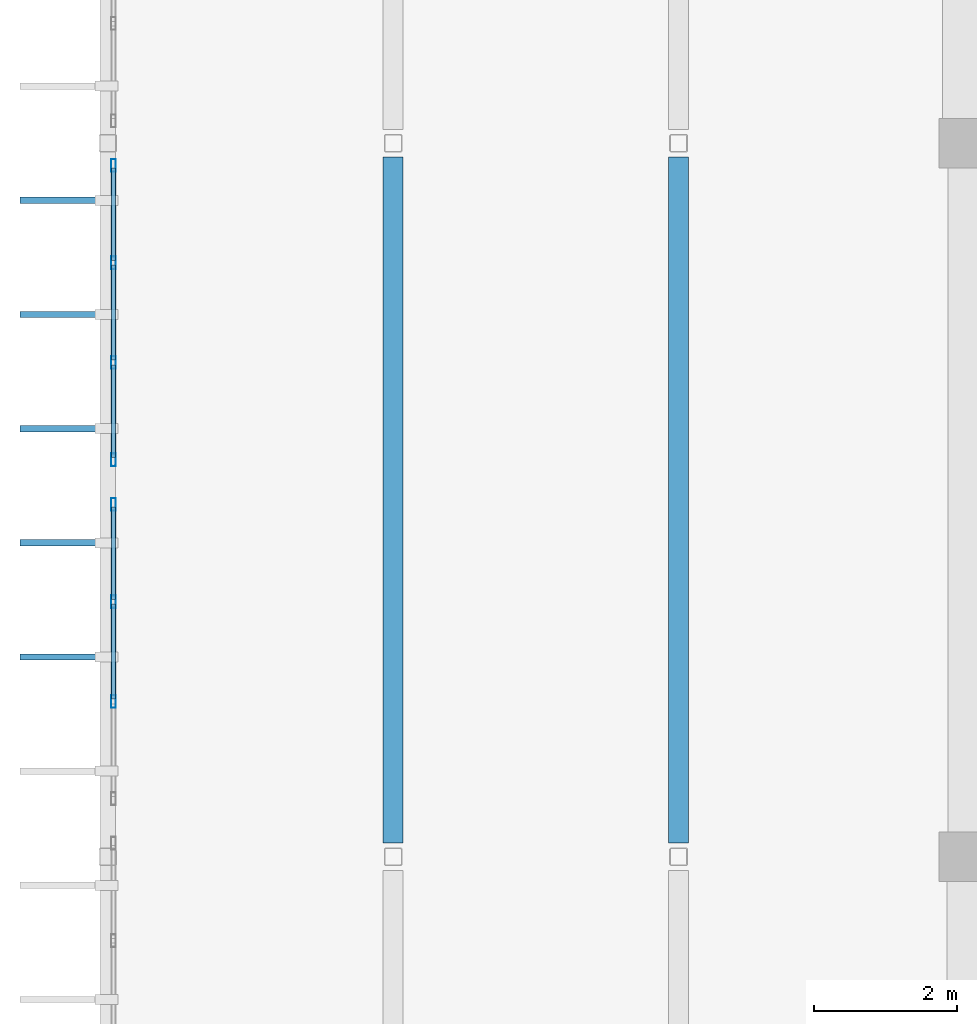
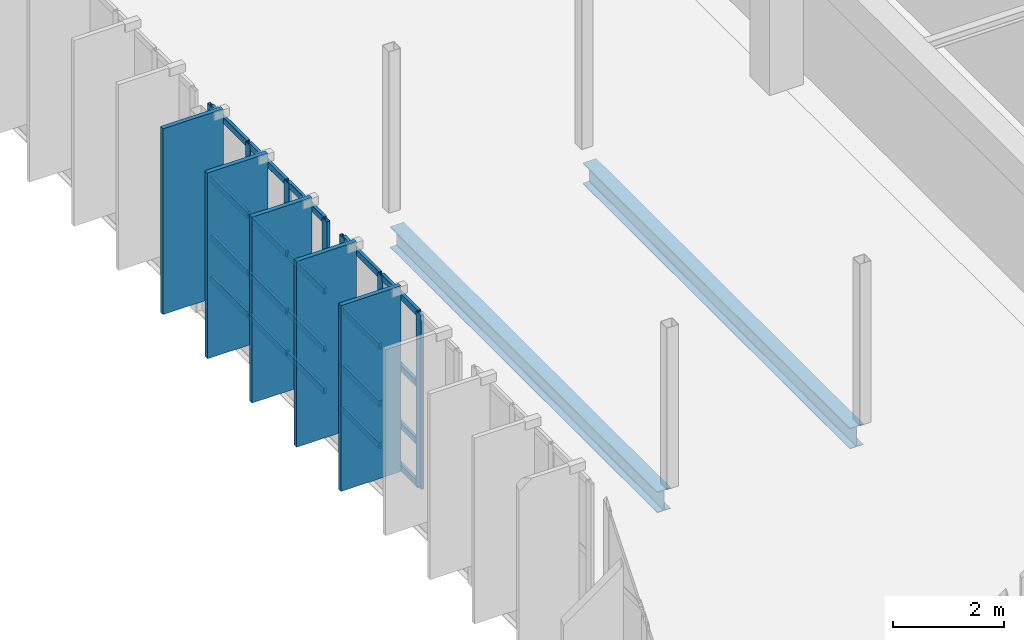
# One storey, part 29 of 110: 32 members, 2 beams, 2 elements without a shape of their own.
"""IFC4 building model written with IfcOpenShell, lengths in metres."""

from ifc_helpers import new_model, si_unit, direction, frame, origin, origin_2d, place, context, subcontext, project, spatial, rectangle, hollow_rectangle, i_section, extrude, material, material_profile, profile_set, type_object, element, aggregate, save


model = new_model("IFC4")

# Units and contexts
model_context = context("Model", 3, precision=1e-05, world=origin(), true_north=direction((0.0, 1.0)))
body_context = subcontext(model_context, "Body", "Model", "MODEL_VIEW")
ifc_project = project(units=[si_unit("LENGTHUNIT", "METRE"), si_unit("AREAUNIT", "SQUARE_METRE"), si_unit("VOLUMEUNIT", "CUBIC_METRE"), si_unit("PLANEANGLEUNIT", "RADIAN"), si_unit("MASSUNIT", "GRAM", prefix="KILO")], contexts=[model_context])

# Site, building, storey
site_placement = place(None, origin())
site = spatial("IfcSite", under=ifc_project, at=site_placement, CompositionType="ELEMENT")
building_placement = place(site_placement, origin())
building = spatial("IfcBuilding", under=site, at=building_placement, Name="Miravela Opera House", CompositionType="ELEMENT")
storey_placement = place(building_placement, frame((0.0, 0.0, 13.60009765625)))
storey = spatial("IfcBuildingStorey", under=building, at=storey_placement, Name="L03", CompositionType="ELEMENT", Elevation=13.60009765625)

# Curtain wall, members
ifc_material_1 = material(Name="Anodised architectural bronze aluminium 6063-T6", Category="aluminium")
curtain_wall_type = type_object("IfcCurtainWallType", Name="ARC-CW-02", PredefinedType="NOTDEFINED", material=ifc_material_1)
curtain_wall_1_placement = place(storey_placement, origin())
curtain_wall_1 = element("IfcCurtainWall", 1, at=curtain_wall_1_placement, inside=storey, type_object=curtain_wall_type, Name="Cantilever West Wrapper Glazing B3 CW-L03-017", PredefinedType="NOTDEFINED")
ifc_material_profile_1 = material_profile(ifc_material_1, hollow_rectangle(XDim=0.06494140625, YDim=0.179931640625, WallThickness=0.00390625, InnerFilletRadius=0.001953125, OuterFilletRadius=0.00390625, at=origin_2d()), Name="CWM-65X180")
ifc_profile_set_1 = profile_set([ifc_material_profile_1])
member_type_1 = type_object("IfcMemberType", Name="ARC-CWM-180", PredefinedType="MULLION", material=ifc_profile_set_1)
member_1_placement = place(storey_placement, frame((15.080078125, 48.1767578125, 0.0), z_axis=(0.0, 0.0, 1.0), x_axis=(-1.0, 0.0, 0.0)))
member_1 = element("IfcMember", 2, at=member_1_placement, type_object=member_type_1, Name="CW-02 mullion 2", PredefinedType="MULLION", context=body_context, shape_type="SweptSolid", body=[
    extrude(hollow_rectangle(XDim=0.06494140625, YDim=0.179931640625, WallThickness=0.00390625, InnerFilletRadius=0.001953125, OuterFilletRadius=0.00390625, at=origin_2d()), origin(), (0.0, 0.0, 1.0), 3.81982421875),
])
member_2_placement = place(storey_placement, frame((15.080078125, 49.5732421875, 0.0), z_axis=(0.0, 0.0, 1.0), x_axis=(-1.0, 0.0, 0.0)))
member_2 = element("IfcMember", 3, at=member_2_placement, type_object=member_type_1, Name="CW-02 mullion 3", PredefinedType="MULLION", context=body_context, shape_type="SweptSolid", body=[
    extrude(hollow_rectangle(XDim=0.06494140625, YDim=0.179931640625, WallThickness=0.00390625, InnerFilletRadius=0.001953125, OuterFilletRadius=0.00390625, at=origin_2d()), origin(), (0.0, 0.0, 1.0), 3.81982421875),
])
member_3_placement = place(storey_placement, frame((15.080078125, 50.9375, 0.0), z_axis=(0.0, 0.0, 1.0), x_axis=(-1.0, 0.0, 0.0)))
member_3 = element("IfcMember", 4, at=member_3_placement, type_object=member_type_1, Name="CW-02 mullion 4", PredefinedType="MULLION", context=body_context, shape_type="SweptSolid", body=[
    extrude(hollow_rectangle(XDim=0.06494140625, YDim=0.179931640625, WallThickness=0.00390625, InnerFilletRadius=0.001953125, OuterFilletRadius=0.00390625, at=origin_2d()), origin(), (0.0, 0.0, 1.0), 3.81982421875),
])

curtain_wall_2_placement = place(storey_placement, origin())
curtain_wall_2 = element("IfcCurtainWall", 5, at=curtain_wall_2_placement, inside=storey, type_object=curtain_wall_type, Name="Cantilever West Wrapper Glazing B4 CW-L03-018", PredefinedType="NOTDEFINED")
member_4_placement = place(storey_placement, frame((15.080078125, 51.5625, 0.0), z_axis=(0.0, 0.0, 1.0), x_axis=(-1.0, 0.0, 0.0)))
member_4 = element("IfcMember", 6, at=member_4_placement, type_object=member_type_1, Name="CW-02 mullion 1", PredefinedType="MULLION", context=body_context, shape_type="SweptSolid", body=[
    extrude(hollow_rectangle(XDim=0.06494140625, YDim=0.179931640625, WallThickness=0.00390625, InnerFilletRadius=0.001953125, OuterFilletRadius=0.00390625, at=origin_2d()), origin(), (0.0, 0.0, 1.0), 3.81982421875),
])
member_5_placement = place(storey_placement, frame((15.080078125, 52.9267578125, 0.0), z_axis=(0.0, 0.0, 1.0), x_axis=(-1.0, 0.0, 0.0)))
member_5 = element("IfcMember", 7, at=member_5_placement, type_object=member_type_1, Name="CW-02 mullion 2", PredefinedType="MULLION", context=body_context, shape_type="SweptSolid", body=[
    extrude(hollow_rectangle(XDim=0.06494140625, YDim=0.179931640625, WallThickness=0.00390625, InnerFilletRadius=0.001953125, OuterFilletRadius=0.00390625, at=origin_2d()), origin(), (0.0, 0.0, 1.0), 3.81982421875),
])
member_6_placement = place(storey_placement, frame((15.080078125, 54.3232421875, 0.0), z_axis=(0.0, 0.0, 1.0), x_axis=(-1.0, 0.0, 0.0)))
member_6 = element("IfcMember", 8, at=member_6_placement, type_object=member_type_1, Name="CW-02 mullion 3", PredefinedType="MULLION", context=body_context, shape_type="SweptSolid", body=[
    extrude(hollow_rectangle(XDim=0.06494140625, YDim=0.179931640625, WallThickness=0.00390625, InnerFilletRadius=0.001953125, OuterFilletRadius=0.00390625, at=origin_2d()), origin(), (0.0, 0.0, 1.0), 3.81982421875),
])
member_7_placement = place(storey_placement, frame((15.080078125, 55.6875, 0.0), z_axis=(0.0, 0.0, 1.0), x_axis=(-1.0, 0.0, 0.0)))
member_7 = element("IfcMember", 9, at=member_7_placement, type_object=member_type_1, Name="CW-02 mullion 4", PredefinedType="MULLION", context=body_context, shape_type="SweptSolid", body=[
    extrude(hollow_rectangle(XDim=0.06494140625, YDim=0.179931640625, WallThickness=0.00390625, InnerFilletRadius=0.001953125, OuterFilletRadius=0.00390625, at=origin_2d()), origin(), (0.0, 0.0, 1.0), 3.81982421875),
])

# Member
ifc_material_profile_2 = material_profile(ifc_material_1, hollow_rectangle(XDim=0.06494140625, YDim=0.139892578125, WallThickness=0.00390625, InnerFilletRadius=0.001953125, OuterFilletRadius=0.00390625, at=origin_2d()), Name="CWT-65X140")
ifc_profile_set_2 = profile_set([ifc_material_profile_2])
member_type_2 = type_object("IfcMemberType", Name="ARC-CWT-140", PredefinedType="USERDEFINED", material=ifc_profile_set_2)
member_8_placement = place(storey_placement, frame((15.080078125, 48.209228515625, 0.032470703125), z_axis=(0.0, 1.0, 0.0), x_axis=(-1.0, 0.0, 0.0)))
member_8 = element("IfcMember", 10, at=member_8_placement, type_object=member_type_2, Name="CW-02 transom 2.1", ObjectType="TRANSOM", PredefinedType="USERDEFINED", context=body_context, shape_type="SweptSolid", body=[
    extrude(hollow_rectangle(XDim=0.06494140625, YDim=0.139892578125, WallThickness=0.00390625, InnerFilletRadius=0.001953125, OuterFilletRadius=0.00390625, at=origin_2d()), origin(), (0.0, 0.0, 1.0), 1.33154296875),
])

member_9_placement = place(storey_placement, frame((15.080078125, 48.209228515625, 0.949951171875), z_axis=(0.0, 1.0, 0.0), x_axis=(-1.0, 0.0, 0.0)))
member_9 = element("IfcMember", 11, at=member_9_placement, type_object=member_type_2, Name="CW-02 transom 2.2", ObjectType="TRANSOM", PredefinedType="USERDEFINED", context=body_context, shape_type="SweptSolid", body=[
    extrude(hollow_rectangle(XDim=0.06494140625, YDim=0.139892578125, WallThickness=0.00390625, InnerFilletRadius=0.001953125, OuterFilletRadius=0.00390625, at=origin_2d()), origin(), (0.0, 0.0, 1.0), 1.33154296875),
])

member_10_placement = place(storey_placement, frame((15.080078125, 48.209228515625, 2.215576171875), z_axis=(0.0, 1.0, 0.0), x_axis=(-1.0, 0.0, 0.0)))
member_10 = element("IfcMember", 12, at=member_10_placement, type_object=member_type_2, Name="CW-02 transom 2.3", ObjectType="TRANSOM", PredefinedType="USERDEFINED", context=body_context, shape_type="SweptSolid", body=[
    extrude(hollow_rectangle(XDim=0.06494140625, YDim=0.139892578125, WallThickness=0.00390625, InnerFilletRadius=0.001953125, OuterFilletRadius=0.00390625, at=origin_2d()), origin(), (0.0, 0.0, 1.0), 1.33154296875),
])

member_11_placement = place(storey_placement, frame((15.080078125, 48.209228515625, 3.787353515625), z_axis=(0.0, 1.0, 0.0), x_axis=(-1.0, 0.0, 0.0)))
member_11 = element("IfcMember", 13, at=member_11_placement, type_object=member_type_2, Name="CW-02 transom 2.4", ObjectType="TRANSOM", PredefinedType="USERDEFINED", context=body_context, shape_type="SweptSolid", body=[
    extrude(hollow_rectangle(XDim=0.06494140625, YDim=0.139892578125, WallThickness=0.00390625, InnerFilletRadius=0.001953125, OuterFilletRadius=0.00390625, at=origin_2d()), origin(), (0.0, 0.0, 1.0), 1.33154296875),
])

member_12_placement = place(storey_placement, frame((15.080078125, 49.605712890625, 0.032470703125), z_axis=(0.0, 1.0, 0.0), x_axis=(-1.0, 0.0, 0.0)))
member_12 = element("IfcMember", 14, at=member_12_placement, type_object=member_type_2, Name="CW-02 transom 3.1", ObjectType="TRANSOM", PredefinedType="USERDEFINED", context=body_context, shape_type="SweptSolid", body=[
    extrude(hollow_rectangle(XDim=0.06494140625, YDim=0.139892578125, WallThickness=0.00390625, InnerFilletRadius=0.001953125, OuterFilletRadius=0.00390625, at=origin_2d()), origin(), (0.0, 0.0, 1.0), 1.29931640625),
])

member_13_placement = place(storey_placement, frame((15.080078125, 49.605712890625, 0.949951171875), z_axis=(0.0, 1.0, 0.0), x_axis=(-1.0, 0.0, 0.0)))
member_13 = element("IfcMember", 15, at=member_13_placement, type_object=member_type_2, Name="CW-02 transom 3.2", ObjectType="TRANSOM", PredefinedType="USERDEFINED", context=body_context, shape_type="SweptSolid", body=[
    extrude(hollow_rectangle(XDim=0.06494140625, YDim=0.139892578125, WallThickness=0.00390625, InnerFilletRadius=0.001953125, OuterFilletRadius=0.00390625, at=origin_2d()), origin(), (0.0, 0.0, 1.0), 1.29931640625),
])

member_14_placement = place(storey_placement, frame((15.080078125, 49.605712890625, 2.215576171875), z_axis=(0.0, 1.0, 0.0), x_axis=(-1.0, 0.0, 0.0)))
member_14 = element("IfcMember", 16, at=member_14_placement, type_object=member_type_2, Name="CW-02 transom 3.3", ObjectType="TRANSOM", PredefinedType="USERDEFINED", context=body_context, shape_type="SweptSolid", body=[
    extrude(hollow_rectangle(XDim=0.06494140625, YDim=0.139892578125, WallThickness=0.00390625, InnerFilletRadius=0.001953125, OuterFilletRadius=0.00390625, at=origin_2d()), origin(), (0.0, 0.0, 1.0), 1.29931640625),
])

member_15_placement = place(storey_placement, frame((15.080078125, 49.605712890625, 3.787353515625), z_axis=(0.0, 1.0, 0.0), x_axis=(-1.0, 0.0, 0.0)))
member_15 = element("IfcMember", 17, at=member_15_placement, type_object=member_type_2, Name="CW-02 transom 3.4", ObjectType="TRANSOM", PredefinedType="USERDEFINED", context=body_context, shape_type="SweptSolid", body=[
    extrude(hollow_rectangle(XDim=0.06494140625, YDim=0.139892578125, WallThickness=0.00390625, InnerFilletRadius=0.001953125, OuterFilletRadius=0.00390625, at=origin_2d()), origin(), (0.0, 0.0, 1.0), 1.29931640625),
])

aggregate(curtain_wall_1, [member_1, member_2, member_3, member_8, member_9, member_10, member_11, member_12, member_13, member_14, member_15])

member_16_placement = place(storey_placement, frame((15.080078125, 51.594970703125, 0.032470703125), z_axis=(0.0, 1.0, 0.0), x_axis=(-1.0, 0.0, 0.0)))
member_16 = element("IfcMember", 18, at=member_16_placement, type_object=member_type_2, Name="CW-02 transom 1.1", ObjectType="TRANSOM", PredefinedType="USERDEFINED", context=body_context, shape_type="SweptSolid", body=[
    extrude(hollow_rectangle(XDim=0.06494140625, YDim=0.139892578125, WallThickness=0.00390625, InnerFilletRadius=0.001953125, OuterFilletRadius=0.00390625, at=origin_2d()), origin(), (0.0, 0.0, 1.0), 1.29931640625),
])

member_17_placement = place(storey_placement, frame((15.080078125, 51.594970703125, 0.949951171875), z_axis=(0.0, 1.0, 0.0), x_axis=(-1.0, 0.0, 0.0)))
member_17 = element("IfcMember", 19, at=member_17_placement, type_object=member_type_2, Name="CW-02 transom 1.2", ObjectType="TRANSOM", PredefinedType="USERDEFINED", context=body_context, shape_type="SweptSolid", body=[
    extrude(hollow_rectangle(XDim=0.06494140625, YDim=0.139892578125, WallThickness=0.00390625, InnerFilletRadius=0.001953125, OuterFilletRadius=0.00390625, at=origin_2d()), origin(), (0.0, 0.0, 1.0), 1.29931640625),
])

member_18_placement = place(storey_placement, frame((15.080078125, 51.594970703125, 2.215576171875), z_axis=(0.0, 1.0, 0.0), x_axis=(-1.0, 0.0, 0.0)))
member_18 = element("IfcMember", 20, at=member_18_placement, type_object=member_type_2, Name="CW-02 transom 1.3", ObjectType="TRANSOM", PredefinedType="USERDEFINED", context=body_context, shape_type="SweptSolid", body=[
    extrude(hollow_rectangle(XDim=0.06494140625, YDim=0.139892578125, WallThickness=0.00390625, InnerFilletRadius=0.001953125, OuterFilletRadius=0.00390625, at=origin_2d()), origin(), (0.0, 0.0, 1.0), 1.29931640625),
])

member_19_placement = place(storey_placement, frame((15.080078125, 51.594970703125, 3.787353515625), z_axis=(0.0, 1.0, 0.0), x_axis=(-1.0, 0.0, 0.0)))
member_19 = element("IfcMember", 21, at=member_19_placement, type_object=member_type_2, Name="CW-02 transom 1.4", ObjectType="TRANSOM", PredefinedType="USERDEFINED", context=body_context, shape_type="SweptSolid", body=[
    extrude(hollow_rectangle(XDim=0.06494140625, YDim=0.139892578125, WallThickness=0.00390625, InnerFilletRadius=0.001953125, OuterFilletRadius=0.00390625, at=origin_2d()), origin(), (0.0, 0.0, 1.0), 1.29931640625),
])

member_20_placement = place(storey_placement, frame((15.080078125, 52.959228515625, 0.032470703125), z_axis=(0.0, 1.0, 0.0), x_axis=(-1.0, 0.0, 0.0)))
member_20 = element("IfcMember", 22, at=member_20_placement, type_object=member_type_2, Name="CW-02 transom 2.1", ObjectType="TRANSOM", PredefinedType="USERDEFINED", context=body_context, shape_type="SweptSolid", body=[
    extrude(hollow_rectangle(XDim=0.06494140625, YDim=0.139892578125, WallThickness=0.00390625, InnerFilletRadius=0.001953125, OuterFilletRadius=0.00390625, at=origin_2d()), origin(), (0.0, 0.0, 1.0), 1.33154296875),
])

member_21_placement = place(storey_placement, frame((15.080078125, 52.959228515625, 0.949951171875), z_axis=(0.0, 1.0, 0.0), x_axis=(-1.0, 0.0, 0.0)))
member_21 = element("IfcMember", 23, at=member_21_placement, type_object=member_type_2, Name="CW-02 transom 2.2", ObjectType="TRANSOM", PredefinedType="USERDEFINED", context=body_context, shape_type="SweptSolid", body=[
    extrude(hollow_rectangle(XDim=0.06494140625, YDim=0.139892578125, WallThickness=0.00390625, InnerFilletRadius=0.001953125, OuterFilletRadius=0.00390625, at=origin_2d()), origin(), (0.0, 0.0, 1.0), 1.33154296875),
])

member_22_placement = place(storey_placement, frame((15.080078125, 52.959228515625, 2.215576171875), z_axis=(0.0, 1.0, 0.0), x_axis=(-1.0, 0.0, 0.0)))
member_22 = element("IfcMember", 24, at=member_22_placement, type_object=member_type_2, Name="CW-02 transom 2.3", ObjectType="TRANSOM", PredefinedType="USERDEFINED", context=body_context, shape_type="SweptSolid", body=[
    extrude(hollow_rectangle(XDim=0.06494140625, YDim=0.139892578125, WallThickness=0.00390625, InnerFilletRadius=0.001953125, OuterFilletRadius=0.00390625, at=origin_2d()), origin(), (0.0, 0.0, 1.0), 1.33154296875),
])

member_23_placement = place(storey_placement, frame((15.080078125, 52.959228515625, 3.787353515625), z_axis=(0.0, 1.0, 0.0), x_axis=(-1.0, 0.0, 0.0)))
member_23 = element("IfcMember", 25, at=member_23_placement, type_object=member_type_2, Name="CW-02 transom 2.4", ObjectType="TRANSOM", PredefinedType="USERDEFINED", context=body_context, shape_type="SweptSolid", body=[
    extrude(hollow_rectangle(XDim=0.06494140625, YDim=0.139892578125, WallThickness=0.00390625, InnerFilletRadius=0.001953125, OuterFilletRadius=0.00390625, at=origin_2d()), origin(), (0.0, 0.0, 1.0), 1.33154296875),
])

member_24_placement = place(storey_placement, frame((15.080078125, 54.355712890625, 0.032470703125), z_axis=(0.0, 1.0, 0.0), x_axis=(-1.0, 0.0, 0.0)))
member_24 = element("IfcMember", 26, at=member_24_placement, type_object=member_type_2, Name="CW-02 transom 3.1", ObjectType="TRANSOM", PredefinedType="USERDEFINED", context=body_context, shape_type="SweptSolid", body=[
    extrude(hollow_rectangle(XDim=0.06494140625, YDim=0.139892578125, WallThickness=0.00390625, InnerFilletRadius=0.001953125, OuterFilletRadius=0.00390625, at=origin_2d()), origin(), (0.0, 0.0, 1.0), 1.29931640625),
])

member_25_placement = place(storey_placement, frame((15.080078125, 54.355712890625, 0.949951171875), z_axis=(0.0, 1.0, 0.0), x_axis=(-1.0, 0.0, 0.0)))
member_25 = element("IfcMember", 27, at=member_25_placement, type_object=member_type_2, Name="CW-02 transom 3.2", ObjectType="TRANSOM", PredefinedType="USERDEFINED", context=body_context, shape_type="SweptSolid", body=[
    extrude(hollow_rectangle(XDim=0.06494140625, YDim=0.139892578125, WallThickness=0.00390625, InnerFilletRadius=0.001953125, OuterFilletRadius=0.00390625, at=origin_2d()), origin(), (0.0, 0.0, 1.0), 1.29931640625),
])

member_26_placement = place(storey_placement, frame((15.080078125, 54.355712890625, 2.215576171875), z_axis=(0.0, 1.0, 0.0), x_axis=(-1.0, 0.0, 0.0)))
member_26 = element("IfcMember", 28, at=member_26_placement, type_object=member_type_2, Name="CW-02 transom 3.3", ObjectType="TRANSOM", PredefinedType="USERDEFINED", context=body_context, shape_type="SweptSolid", body=[
    extrude(hollow_rectangle(XDim=0.06494140625, YDim=0.139892578125, WallThickness=0.00390625, InnerFilletRadius=0.001953125, OuterFilletRadius=0.00390625, at=origin_2d()), origin(), (0.0, 0.0, 1.0), 1.29931640625),
])

member_27_placement = place(storey_placement, frame((15.080078125, 54.355712890625, 3.787353515625), z_axis=(0.0, 1.0, 0.0), x_axis=(-1.0, 0.0, 0.0)))
member_27 = element("IfcMember", 29, at=member_27_placement, type_object=member_type_2, Name="CW-02 transom 3.4", ObjectType="TRANSOM", PredefinedType="USERDEFINED", context=body_context, shape_type="SweptSolid", body=[
    extrude(hollow_rectangle(XDim=0.06494140625, YDim=0.139892578125, WallThickness=0.00390625, InnerFilletRadius=0.001953125, OuterFilletRadius=0.00390625, at=origin_2d()), origin(), (0.0, 0.0, 1.0), 1.29931640625),
])

aggregate(curtain_wall_2, [member_4, member_5, member_6, member_7, member_16, member_17, member_18, member_19, member_20, member_21, member_22, member_23, member_24, member_25, member_26, member_27])

# Members
ifc_material_profile_3 = material_profile(ifc_material_1, rectangle(XDim=0.090087890625, YDim=1.25, at=origin_2d()), Name="FIN-1250X90")
ifc_profile_set_3 = profile_set([ifc_material_profile_3])
member_type_3 = type_object("IfcMemberType", Name="ARC-FIN-1250", PredefinedType="USERDEFINED", material=ifc_profile_set_3)
for number, where, z_axis, x_axis, name in (
    (30, (14.39501953125, 48.800048828125, 0.0), (0.0, 0.0, 1.0), (0.0, 1.0, 0.0), "Auditorium Wrapper Bronze Solar Fin FIN-L03-WEST-0044"),
    (31, (14.39501953125, 50.39990234375, 0.0), (0.0, 0.0, 1.0), (0.0, 1.0, 0.0), "Auditorium Wrapper Bronze Solar Fin FIN-L03-WEST-0045"),
    (32, (14.39501953125, 52.0, 0.0), (0.0, 0.0, 1.0), (0.0, 1.0, 0.0), "Auditorium Wrapper Bronze Solar Fin FIN-L03-WEST-0046"),
    (33, (14.39501953125, 53.60009765625, 0.0), (0.0, 0.0, 1.0), (0.0, 1.0, 0.0), "Auditorium Wrapper Bronze Solar Fin FIN-L03-WEST-0047"),
    (34, (14.39501953125, 55.199951171875, 0.0), (0.0, 0.0, 1.0), (0.0, 1.0, 0.0), "Auditorium Wrapper Bronze Solar Fin FIN-L03-WEST-0048"),
):
    element("IfcMember", number, at=place(storey_placement, frame(where, z_axis=z_axis, x_axis=x_axis)), inside=storey, type_object=member_type_3, Name=name, ObjectType="FIN", PredefinedType="USERDEFINED", context=body_context, shape_type="SweptSolid", body=[
        extrude(rectangle(XDim=0.090087890625, YDim=1.25, at=origin_2d()), origin(), (0.0, 0.0, 1.0), 4.079833984375),
    ])

# Beams
ifc_material_2 = material(Name="Structural steel ASTM A992 Gr. 50", Category="steel")
ifc_material_profile_4 = material_profile(ifc_material_2, i_section(OverallWidth=0.280029296875, OverallDepth=0.462890625, WebThickness=0.0107421875, FlangeThickness=0.017333984375, FilletRadius=0.014892578125, at=origin_2d()), Name="W460X113")
ifc_profile_set_4 = profile_set([ifc_material_profile_4])
beam_type = type_object("IfcBeamType", Name="STR-BM-W460X113", PredefinedType="BEAM", material=ifc_profile_set_4)
for number, where, z_axis, x_axis, name in (
    (35, (19.0, 46.195068359375, -0.4716796875), (0.0, 1.0, 0.0), (-1.0, 0.0, 0.0), "Cantilever Overhang Beam L03 X=19"),
    (36, (23.0, 46.195068359375, -0.4716796875), (0.0, 1.0, 0.0), (-1.0, 0.0, 0.0), "Cantilever Overhang Beam L03 X=23"),
):
    element("IfcBeam", number, at=place(storey_placement, frame(where, z_axis=z_axis, x_axis=x_axis)), inside=storey, type_object=beam_type, Name=name, PredefinedType="BEAM", context=body_context, shape_type="SweptSolid", body=[
        extrude(i_section(OverallWidth=0.280029296875, OverallDepth=0.462890625, WebThickness=0.0107421875, FlangeThickness=0.017333984375, FilletRadius=0.014892578125, at=origin_2d()), origin(), (0.0, 0.0, 1.0), 9.60986328125),
    ])

save(model, "model.ifc")
